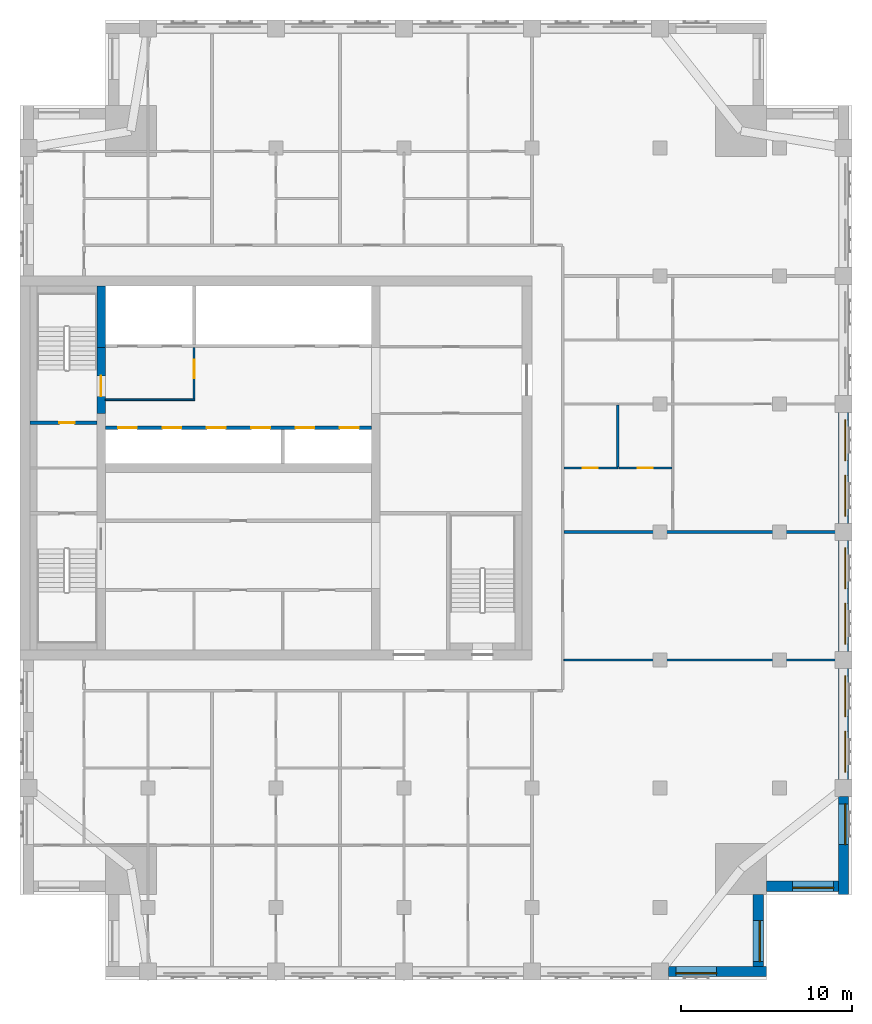
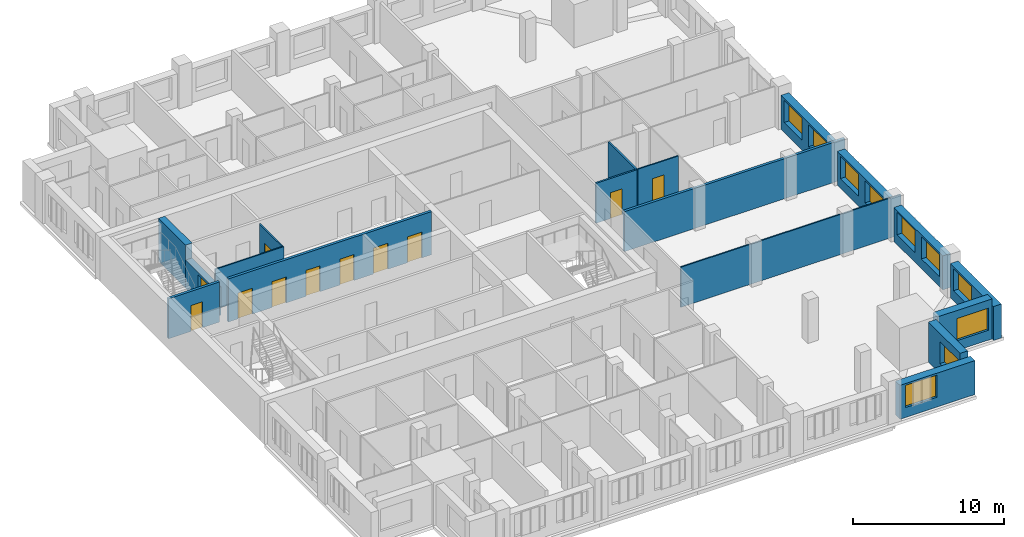
# One storey, part 5 of 10: 18 walls, 11 doors, 10 windows, 21 openings.
"""IFC4 building model written with IfcOpenShell, lengths in metres."""

from ifc_helpers import new_model, si_unit, direction, frame, frame_2d, origin, place, context, subcontext, project, spatial, rectangle, extrude, material, layer, layer_set, type_object, element, fill, save


model = new_model("IFC4")

# Units and contexts
model_context = context("Model", 3, precision=1e-05, world=origin(), true_north=direction((0.0, 1.0)))
body_context = subcontext(model_context, "Body", "Model", "MODEL_VIEW")
ifc_project = project(units=[si_unit("LENGTHUNIT", "METRE"), si_unit("AREAUNIT", "SQUARE_METRE"), si_unit("VOLUMEUNIT", "CUBIC_METRE"), si_unit("PLANEANGLEUNIT", "RADIAN"), si_unit("MASSUNIT", "GRAM", prefix="KILO")], contexts=[model_context])

# Site, building, storey
site_placement = place(None, origin())
site = spatial("IfcSite", under=ifc_project, at=site_placement, CompositionType="ELEMENT")
building_placement = place(site_placement, origin())
building = spatial("IfcBuilding", under=site, at=building_placement, Name="Tamorin Gate", CompositionType="ELEMENT")
storey_placement = place(building_placement, frame((0.0, 0.0, 223.199951171875)))
storey = spatial("IfcBuildingStorey", under=building, at=storey_placement, Name="L55", CompositionType="ELEMENT", Elevation=223.199951171875)

# Wall, opening, window
ifc_material_1 = material(Name="Precast concrete C40/50", Category="concrete")
ifc_layer_1 = layer(ifc_material_1, 0.60009765625)
ifc_layer_set_1 = layer_set([ifc_layer_1], Name="Precast concrete C40/50")
wall_type_1 = type_object("IfcWallType", Name="Board-marked concrete facade panel 600", PredefinedType="SOLIDWALL", material=ifc_layer_set_1)
wall_1_placement = place(storey_placement, frame((68.0, 41.75, 0.0), z_axis=(0.0, 0.0, 1.0), x_axis=(1.0, 0.0, 0.0)))
wall_1 = element("IfcWall", 1, at=wall_1_placement, inside=storey, type_object=wall_type_1, Name="Facade panel", PredefinedType="SOLIDWALL", context=body_context, shape_type="SweptSolid", body=[
    extrude(rectangle(XDim=5.75, YDim=0.60009765625, at=frame_2d((2.875, 0.0))), origin(), (0.0, 0.0, 1.0), 2.75),
])
opening_1_placement = place(wall_1_placement, frame((0.425048828125, 0.0, 0.800048828125)))
opening_1 = element("IfcOpeningElement", 2, at=opening_1_placement, cuts=wall_1, Name="Opening WN1", PredefinedType="OPENING", context=body_context, shape_type="SweptSolid", body=[
    extrude(rectangle(XDim=2.39990234375, YDim=1.800048828125, at=frame_2d((1.199951171875, 0.89990234375))), frame((0.0, 0.31005859375, 0.0), z_axis=(0.0, -1.0, 0.0), x_axis=(1.0, 0.0, 0.0)), (0.0, 0.0, 1.0), 0.6201171875),
])
ifc_material_2 = material(Name="Clear glass in aluminium frame", Category="aluminium")
window_type = type_object("IfcWindowType", Name="Deep-set window 2400x1800", PartitioningType="SINGLE_PANEL", PredefinedType="WINDOW", material=ifc_material_2)
window_1_placement = place(opening_1_placement, origin())
window_1 = element("IfcWindow", 3, at=window_1_placement, inside=storey, type_object=window_type, Name="Deep-set window", OverallHeight=1.800048828125, OverallWidth=2.39990234375, PartitioningType="SINGLE_PANEL", PredefinedType="WINDOW", context=body_context, shape_type="SweptSolid", body=[
    extrude(rectangle(XDim=2.39990234375, YDim=1.800048828125, at=frame_2d((1.199951171875, 0.89990234375))), frame((0.0, -0.070068359375, 0.0), z_axis=(0.0, -1.0, 0.0), x_axis=(1.0, 0.0, 0.0)), (0.0, 0.0, 1.0), 0.06005859375),
])
fill(opening_1, window_1)

wall_2_placement = place(storey_placement, frame((73.25, 42.050048828125, 0.0), z_axis=(0.0, 0.0, 1.0), x_axis=(0.0, 1.0, 0.0)))
wall_2 = element("IfcWall", 4, at=wall_2_placement, inside=storey, type_object=wall_type_1, Name="Facade panel", PredefinedType="SOLIDWALL", context=body_context, shape_type="SweptSolid", body=[
    extrude(rectangle(XDim=4.199951171875, YDim=0.60009765625, at=frame_2d((2.10009765625, 0.0))), origin(), (0.0, 0.0, 1.0), 3.25),
])
opening_2_placement = place(wall_2_placement, frame((0.27490234375, 0.0, 0.800048828125)))
opening_2 = element("IfcOpeningElement", 5, at=opening_2_placement, cuts=wall_2, Name="Opening WN1", PredefinedType="OPENING", context=body_context, shape_type="SweptSolid", body=[
    extrude(rectangle(XDim=2.39990234375, YDim=1.800048828125, at=frame_2d((1.199951171875, 0.89990234375))), frame((0.0, 0.31005859375, 0.0), z_axis=(0.0, -1.0, 0.0), x_axis=(1.0, 0.0, 0.0)), (0.0, 0.0, 1.0), 0.6201171875),
])
window_2_placement = place(opening_2_placement, origin())
window_2 = element("IfcWindow", 6, at=window_2_placement, inside=storey, type_object=window_type, Name="Deep-set window", OverallHeight=1.800048828125, OverallWidth=2.39990234375, PartitioningType="SINGLE_PANEL", PredefinedType="WINDOW", context=body_context, shape_type="SweptSolid", body=[
    extrude(rectangle(XDim=2.39990234375, YDim=1.800048828125, at=frame_2d((1.199951171875, 0.89990234375))), frame((0.0, -0.070068359375, 0.0), z_axis=(0.0, -1.0, 0.0), x_axis=(1.0, 0.0, 0.0)), (0.0, 0.0, 1.0), 0.06005859375),
])
fill(opening_2, window_2)

wall_3_placement = place(storey_placement, frame((73.75, 46.75, 0.0), z_axis=(0.0, 0.0, 1.0), x_axis=(1.0, 0.0, 0.0)))
wall_3 = element("IfcWall", 7, at=wall_3_placement, inside=storey, type_object=wall_type_1, Name="Facade panel", PredefinedType="SOLIDWALL", context=body_context, shape_type="SweptSolid", body=[
    extrude(rectangle(XDim=4.199951171875, YDim=0.60009765625, at=frame_2d((2.10009765625, 0.0))), origin(), (0.0, 0.0, 1.0), 3.25),
])
opening_3_placement = place(wall_3_placement, frame((1.52490234375, 0.0, 0.800048828125)))
opening_3 = element("IfcOpeningElement", 8, at=opening_3_placement, cuts=wall_3, Name="Opening WN1", PredefinedType="OPENING", context=body_context, shape_type="SweptSolid", body=[
    extrude(rectangle(XDim=2.39990234375, YDim=1.800048828125, at=frame_2d((1.199951171875, 0.89990234375))), frame((0.0, 0.31005859375, 0.0), z_axis=(0.0, -1.0, 0.0), x_axis=(1.0, 0.0, 0.0)), (0.0, 0.0, 1.0), 0.6201171875),
])
window_3_placement = place(opening_3_placement, origin())
window_3 = element("IfcWindow", 9, at=window_3_placement, inside=storey, type_object=window_type, Name="Deep-set window", OverallHeight=1.800048828125, OverallWidth=2.39990234375, PartitioningType="SINGLE_PANEL", PredefinedType="WINDOW", context=body_context, shape_type="SweptSolid", body=[
    extrude(rectangle(XDim=2.39990234375, YDim=1.800048828125, at=frame_2d((1.199951171875, 0.89990234375))), frame((0.0, -0.070068359375, 0.0), z_axis=(0.0, -1.0, 0.0), x_axis=(1.0, 0.0, 0.0)), (0.0, 0.0, 1.0), 0.06005859375),
])
fill(opening_3, window_3)

wall_4_placement = place(storey_placement, frame((78.25, 46.25, 0.0), z_axis=(0.0, 0.0, 1.0), x_axis=(0.0, 1.0, 0.0)))
wall_4 = element("IfcWall", 10, at=wall_4_placement, inside=storey, type_object=wall_type_1, Name="Facade panel", PredefinedType="SOLIDWALL", context=body_context, shape_type="SweptSolid", body=[
    extrude(rectangle(XDim=5.75, YDim=0.60009765625, at=frame_2d((2.875, 0.0))), origin(), (0.0, 0.0, 1.0), 2.75),
])
opening_4_placement = place(wall_4_placement, frame((2.925048828125, 0.0, 0.800048828125)))
opening_4 = element("IfcOpeningElement", 11, at=opening_4_placement, cuts=wall_4, Name="Opening WN1", PredefinedType="OPENING", context=body_context, shape_type="SweptSolid", body=[
    extrude(rectangle(XDim=2.39990234375, YDim=1.800048828125, at=frame_2d((1.199951171875, 0.89990234375))), frame((0.0, 0.31005859375, 0.0), z_axis=(0.0, -1.0, 0.0), x_axis=(1.0, 0.0, 0.0)), (0.0, 0.0, 1.0), 0.6201171875),
])
window_4_placement = place(opening_4_placement, origin())
window_4 = element("IfcWindow", 12, at=window_4_placement, inside=storey, type_object=window_type, Name="Deep-set window", OverallHeight=1.800048828125, OverallWidth=2.39990234375, PartitioningType="SINGLE_PANEL", PredefinedType="WINDOW", context=body_context, shape_type="SweptSolid", body=[
    extrude(rectangle(XDim=2.39990234375, YDim=1.800048828125, at=frame_2d((1.199951171875, 0.89990234375))), frame((0.0, -0.070068359375, 0.0), z_axis=(0.0, -1.0, 0.0), x_axis=(1.0, 0.0, 0.0)), (0.0, 0.0, 1.0), 0.06005859375),
])
fill(opening_4, window_4)

# Wall, openings, windows
wall_5_placement = place(storey_placement, frame((78.25, 53.0, 0.0), z_axis=(0.0, 0.0, 1.0), x_axis=(0.0, 1.0, 0.0)))
wall_5 = element("IfcWall", 13, at=wall_5_placement, inside=storey, type_object=wall_type_1, Name="Facade panel", PredefinedType="SOLIDWALL", context=body_context, shape_type="SweptSolid", body=[
    extrude(rectangle(XDim=6.5, YDim=0.60009765625, at=frame_2d((3.25, 0.0))), origin(), (0.0, 0.0, 1.0), 2.75),
])
opening_5_placement = place(wall_5_placement, frame((0.425048828125, 0.0, 0.800048828125)))
opening_5 = element("IfcOpeningElement", 14, at=opening_5_placement, cuts=wall_5, Name="Opening WN1", PredefinedType="OPENING", context=body_context, shape_type="SweptSolid", body=[
    extrude(rectangle(XDim=2.39990234375, YDim=1.800048828125, at=frame_2d((1.199951171875, 0.89990234375))), frame((0.0, 0.31005859375, 0.0), z_axis=(0.0, -1.0, 0.0), x_axis=(1.0, 0.0, 0.0)), (0.0, 0.0, 1.0), 0.6201171875),
])
opening_6_placement = place(wall_5_placement, frame((3.675048828125, 0.0, 0.800048828125)))
opening_6 = element("IfcOpeningElement", 15, at=opening_6_placement, cuts=wall_5, Name="Opening WN1", PredefinedType="OPENING", context=body_context, shape_type="SweptSolid", body=[
    extrude(rectangle(XDim=2.39990234375, YDim=1.800048828125, at=frame_2d((1.199951171875, 0.89990234375))), frame((0.0, 0.31005859375, 0.0), z_axis=(0.0, -1.0, 0.0), x_axis=(1.0, 0.0, 0.0)), (0.0, 0.0, 1.0), 0.6201171875),
])
window_5_placement = place(opening_5_placement, origin())
window_5 = element("IfcWindow", 16, at=window_5_placement, inside=storey, type_object=window_type, Name="Deep-set window", OverallHeight=1.800048828125, OverallWidth=2.39990234375, PartitioningType="SINGLE_PANEL", PredefinedType="WINDOW", context=body_context, shape_type="SweptSolid", body=[
    extrude(rectangle(XDim=2.39990234375, YDim=1.800048828125, at=frame_2d((1.199951171875, 0.89990234375))), frame((0.0, -0.070068359375, 0.0), z_axis=(0.0, -1.0, 0.0), x_axis=(1.0, 0.0, 0.0)), (0.0, 0.0, 1.0), 0.06005859375),
])
fill(opening_5, window_5)
window_6_placement = place(opening_6_placement, origin())
window_6 = element("IfcWindow", 17, at=window_6_placement, inside=storey, type_object=window_type, Name="Deep-set window", OverallHeight=1.800048828125, OverallWidth=2.39990234375, PartitioningType="SINGLE_PANEL", PredefinedType="WINDOW", context=body_context, shape_type="SweptSolid", body=[
    extrude(rectangle(XDim=2.39990234375, YDim=1.800048828125, at=frame_2d((1.199951171875, 0.89990234375))), frame((0.0, -0.070068359375, 0.0), z_axis=(0.0, -1.0, 0.0), x_axis=(1.0, 0.0, 0.0)), (0.0, 0.0, 1.0), 0.06005859375),
])
fill(opening_6, window_6)

wall_6_placement = place(storey_placement, frame((78.25, 60.5, 0.0), z_axis=(0.0, 0.0, 1.0), x_axis=(0.0, 1.0, 0.0)))
wall_6 = element("IfcWall", 18, at=wall_6_placement, inside=storey, type_object=wall_type_1, Name="Facade panel", PredefinedType="SOLIDWALL", context=body_context, shape_type="SweptSolid", body=[
    extrude(rectangle(XDim=6.5, YDim=0.60009765625, at=frame_2d((3.25, 0.0))), origin(), (0.0, 0.0, 1.0), 2.75),
])
opening_7_placement = place(wall_6_placement, frame((0.425048828125, 0.0, 0.800048828125)))
opening_7 = element("IfcOpeningElement", 19, at=opening_7_placement, cuts=wall_6, Name="Opening WN1", PredefinedType="OPENING", context=body_context, shape_type="SweptSolid", body=[
    extrude(rectangle(XDim=2.39990234375, YDim=1.800048828125, at=frame_2d((1.199951171875, 0.89990234375))), frame((0.0, 0.31005859375, 0.0), z_axis=(0.0, -1.0, 0.0), x_axis=(1.0, 0.0, 0.0)), (0.0, 0.0, 1.0), 0.6201171875),
])
opening_8_placement = place(wall_6_placement, frame((3.675048828125, 0.0, 0.800048828125)))
opening_8 = element("IfcOpeningElement", 20, at=opening_8_placement, cuts=wall_6, Name="Opening WN1", PredefinedType="OPENING", context=body_context, shape_type="SweptSolid", body=[
    extrude(rectangle(XDim=2.39990234375, YDim=1.800048828125, at=frame_2d((1.199951171875, 0.89990234375))), frame((0.0, 0.31005859375, 0.0), z_axis=(0.0, -1.0, 0.0), x_axis=(1.0, 0.0, 0.0)), (0.0, 0.0, 1.0), 0.6201171875),
])
window_7_placement = place(opening_7_placement, origin())
window_7 = element("IfcWindow", 21, at=window_7_placement, inside=storey, type_object=window_type, Name="Deep-set window", OverallHeight=1.800048828125, OverallWidth=2.39990234375, PartitioningType="SINGLE_PANEL", PredefinedType="WINDOW", context=body_context, shape_type="SweptSolid", body=[
    extrude(rectangle(XDim=2.39990234375, YDim=1.800048828125, at=frame_2d((1.199951171875, 0.89990234375))), frame((0.0, -0.070068359375, 0.0), z_axis=(0.0, -1.0, 0.0), x_axis=(1.0, 0.0, 0.0)), (0.0, 0.0, 1.0), 0.06005859375),
])
fill(opening_7, window_7)
window_8_placement = place(opening_8_placement, origin())
window_8 = element("IfcWindow", 22, at=window_8_placement, inside=storey, type_object=window_type, Name="Deep-set window", OverallHeight=1.800048828125, OverallWidth=2.39990234375, PartitioningType="SINGLE_PANEL", PredefinedType="WINDOW", context=body_context, shape_type="SweptSolid", body=[
    extrude(rectangle(XDim=2.39990234375, YDim=1.800048828125, at=frame_2d((1.199951171875, 0.89990234375))), frame((0.0, -0.070068359375, 0.0), z_axis=(0.0, -1.0, 0.0), x_axis=(1.0, 0.0, 0.0)), (0.0, 0.0, 1.0), 0.06005859375),
])
fill(opening_8, window_8)

wall_7_placement = place(storey_placement, frame((78.25, 68.0, 0.0), z_axis=(0.0, 0.0, 1.0), x_axis=(0.0, 1.0, 0.0)))
wall_7 = element("IfcWall", 23, at=wall_7_placement, inside=storey, type_object=wall_type_1, Name="Facade panel", PredefinedType="SOLIDWALL", context=body_context, shape_type="SweptSolid", body=[
    extrude(rectangle(XDim=6.5, YDim=0.60009765625, at=frame_2d((3.25, 0.0))), origin(), (0.0, 0.0, 1.0), 2.75),
])
opening_9_placement = place(wall_7_placement, frame((0.425048828125, 0.0, 0.800048828125)))
opening_9 = element("IfcOpeningElement", 24, at=opening_9_placement, cuts=wall_7, Name="Opening WN1", PredefinedType="OPENING", context=body_context, shape_type="SweptSolid", body=[
    extrude(rectangle(XDim=2.39990234375, YDim=1.800048828125, at=frame_2d((1.199951171875, 0.89990234375))), frame((0.0, 0.31005859375, 0.0), z_axis=(0.0, -1.0, 0.0), x_axis=(1.0, 0.0, 0.0)), (0.0, 0.0, 1.0), 0.6201171875),
])
opening_10_placement = place(wall_7_placement, frame((3.675048828125, 0.0, 0.800048828125)))
opening_10 = element("IfcOpeningElement", 25, at=opening_10_placement, cuts=wall_7, Name="Opening WN1", PredefinedType="OPENING", context=body_context, shape_type="SweptSolid", body=[
    extrude(rectangle(XDim=2.39990234375, YDim=1.800048828125, at=frame_2d((1.199951171875, 0.89990234375))), frame((0.0, 0.31005859375, 0.0), z_axis=(0.0, -1.0, 0.0), x_axis=(1.0, 0.0, 0.0)), (0.0, 0.0, 1.0), 0.6201171875),
])
window_9_placement = place(opening_9_placement, origin())
window_9 = element("IfcWindow", 26, at=window_9_placement, inside=storey, type_object=window_type, Name="Deep-set window", OverallHeight=1.800048828125, OverallWidth=2.39990234375, PartitioningType="SINGLE_PANEL", PredefinedType="WINDOW", context=body_context, shape_type="SweptSolid", body=[
    extrude(rectangle(XDim=2.39990234375, YDim=1.800048828125, at=frame_2d((1.199951171875, 0.89990234375))), frame((0.0, -0.070068359375, 0.0), z_axis=(0.0, -1.0, 0.0), x_axis=(1.0, 0.0, 0.0)), (0.0, 0.0, 1.0), 0.06005859375),
])
fill(opening_9, window_9)
window_10_placement = place(opening_10_placement, origin())
window_10 = element("IfcWindow", 27, at=window_10_placement, inside=storey, type_object=window_type, Name="Deep-set window", OverallHeight=1.800048828125, OverallWidth=2.39990234375, PartitioningType="SINGLE_PANEL", PredefinedType="WINDOW", context=body_context, shape_type="SweptSolid", body=[
    extrude(rectangle(XDim=2.39990234375, YDim=1.800048828125, at=frame_2d((1.199951171875, 0.89990234375))), frame((0.0, -0.070068359375, 0.0), z_axis=(0.0, -1.0, 0.0), x_axis=(1.0, 0.0, 0.0)), (0.0, 0.0, 1.0), 0.06005859375),
])
fill(opening_10, window_10)

# Wall
ifc_material_3 = material(Name="Gypsum board partition")
ifc_layer_2 = layer(ifc_material_3, 0.199951171875)
ifc_layer_set_2 = layer_set([ifc_layer_2], Name="Demising wall 200")
wall_type_2 = type_object("IfcWallType", Name="Demising wall 200", PredefinedType="PARTITIONING", material=ifc_layer_set_2)
wall_8_placement = place(storey_placement, frame((61.875, 67.5, 0.0), z_axis=(0.0, 0.0, 1.0), x_axis=(1.0, 0.0, 0.0)))
element("IfcWall", 28, at=wall_8_placement, inside=storey, type_object=wall_type_2, Name="Demising wall 200", PredefinedType="PARTITIONING", context=body_context, shape_type="SweptSolid", body=[
    extrude(rectangle(XDim=16.875, YDim=0.199951171875, at=frame_2d((8.4375, 0.0))), origin(), (0.0, 0.0, 1.0), 3.25),
])

# Wall, openings, doors
ifc_material_4 = material(Name="Concrete C32/40", Category="concrete")
ifc_layer_3 = layer(ifc_material_4, 0.199951171875)
ifc_layer_set_3 = layer_set([ifc_layer_3], Name="Lift lobby face wall 200 EI 120")
wall_type_3 = type_object("IfcWallType", Name="Lift lobby face wall 200 EI 120", PredefinedType="SOLIDWALL", material=ifc_layer_set_3)
wall_9_placement = place(storey_placement, frame((35.0, 73.60009765625, 0.0), z_axis=(0.0, 0.0, 1.0), x_axis=(1.0, 0.0, 0.0)))
wall_9 = element("IfcWall", 29, at=wall_9_placement, inside=storey, type_object=wall_type_3, Name="Lift lobby face wall", PredefinedType="SOLIDWALL", context=body_context, shape_type="SweptSolid", body=[
    extrude(rectangle(XDim=15.60009765625, YDim=0.199951171875, at=frame_2d((7.800048828125, 0.0))), origin(), (0.0, 0.0, 1.0), 3.5),
])
opening_11_placement = place(wall_9_placement, frame((0.75, 0.0, 0.0)))
opening_11 = element("IfcOpeningElement", 30, at=opening_11_placement, cuts=wall_9, Name="Opening LD11", PredefinedType="OPENING", context=body_context, shape_type="SweptSolid", body=[
    extrude(rectangle(XDim=1.10009765625, YDim=2.10009765625, at=frame_2d((0.550048828125, 1.050048828125))), frame((0.0, 0.10986328125, 0.0), z_axis=(0.0, -1.0, 0.0), x_axis=(1.0, 0.0, 0.0)), (0.0, 0.0, 1.0), 0.219970703125),
])
opening_12_placement = place(wall_9_placement, frame((3.35009765625, 0.0, 0.0)))
opening_12 = element("IfcOpeningElement", 31, at=opening_12_placement, cuts=wall_9, Name="Opening LD12", PredefinedType="OPENING", context=body_context, shape_type="SweptSolid", body=[
    extrude(rectangle(XDim=1.10009765625, YDim=2.10009765625, at=frame_2d((0.550048828125, 1.050048828125))), frame((0.0, 0.10986328125, 0.0), z_axis=(0.0, -1.0, 0.0), x_axis=(1.0, 0.0, 0.0)), (0.0, 0.0, 1.0), 0.219970703125),
])
opening_13_placement = place(wall_9_placement, frame((5.949951171875, 0.0, 0.0)))
opening_13 = element("IfcOpeningElement", 32, at=opening_13_placement, cuts=wall_9, Name="Opening LD13", PredefinedType="OPENING", context=body_context, shape_type="SweptSolid", body=[
    extrude(rectangle(XDim=1.10009765625, YDim=2.10009765625, at=frame_2d((0.550048828125, 1.050048828125))), frame((0.0, 0.10986328125, 0.0), z_axis=(0.0, -1.0, 0.0), x_axis=(1.0, 0.0, 0.0)), (0.0, 0.0, 1.0), 0.219970703125),
])
opening_14_placement = place(wall_9_placement, frame((8.550048828125, 0.0, 0.0)))
opening_14 = element("IfcOpeningElement", 33, at=opening_14_placement, cuts=wall_9, Name="Opening LD14", PredefinedType="OPENING", context=body_context, shape_type="SweptSolid", body=[
    extrude(rectangle(XDim=1.10009765625, YDim=2.10009765625, at=frame_2d((0.550048828125, 1.050048828125))), frame((0.0, 0.10986328125, 0.0), z_axis=(0.0, -1.0, 0.0), x_axis=(1.0, 0.0, 0.0)), (0.0, 0.0, 1.0), 0.219970703125),
])
opening_15_placement = place(wall_9_placement, frame((11.14990234375, 0.0, 0.0)))
opening_15 = element("IfcOpeningElement", 34, at=opening_15_placement, cuts=wall_9, Name="Opening LD15", PredefinedType="OPENING", context=body_context, shape_type="SweptSolid", body=[
    extrude(rectangle(XDim=1.10009765625, YDim=2.10009765625, at=frame_2d((0.550048828125, 1.050048828125))), frame((0.0, 0.10986328125, 0.0), z_axis=(0.0, -1.0, 0.0), x_axis=(1.0, 0.0, 0.0)), (0.0, 0.0, 1.0), 0.219970703125),
])
opening_16_placement = place(wall_9_placement, frame((13.75, 0.0, 0.0)))
opening_16 = element("IfcOpeningElement", 35, at=opening_16_placement, cuts=wall_9, Name="Opening LD16", PredefinedType="OPENING", context=body_context, shape_type="SweptSolid", body=[
    extrude(rectangle(XDim=1.10009765625, YDim=2.10009765625, at=frame_2d((0.550048828125, 1.050048828125))), frame((0.0, 0.10986328125, 0.0), z_axis=(0.0, -1.0, 0.0), x_axis=(1.0, 0.0, 0.0)), (0.0, 0.0, 1.0), 0.219970703125),
])
ifc_material_5 = material(Name="Stainless steel sliding door", Category="steel")
door_type_1 = type_object("IfcDoorType", Name="Lift landing door 1100 x 2100 E 90", OperationType="DOUBLE_DOOR_SLIDING", PredefinedType="DOOR", material=ifc_material_5)
door_1_placement = place(opening_11_placement, origin())
door_1 = element("IfcDoor", 36, at=door_1_placement, inside=storey, type_object=door_type_1, Name="HR1 landing door", OperationType="DOUBLE_DOOR_SLIDING", OverallHeight=2.10009765625, OverallWidth=1.10009765625, PredefinedType="DOOR", context=body_context, shape_type="SweptSolid", body=[
    extrude(rectangle(XDim=1.10009765625, YDim=2.10009765625, at=frame_2d((0.550048828125, 1.050048828125))), frame((0.0, 0.02490234375, 0.0), z_axis=(0.0, -1.0, 0.0), x_axis=(1.0, 0.0, 0.0)), (0.0, 0.0, 1.0), 0.050048828125),
])
fill(opening_11, door_1)
door_2_placement = place(opening_12_placement, origin())
door_2 = element("IfcDoor", 37, at=door_2_placement, inside=storey, type_object=door_type_1, Name="HR2 landing door", OperationType="DOUBLE_DOOR_SLIDING", OverallHeight=2.10009765625, OverallWidth=1.10009765625, PredefinedType="DOOR", context=body_context, shape_type="SweptSolid", body=[
    extrude(rectangle(XDim=1.10009765625, YDim=2.10009765625, at=frame_2d((0.550048828125, 1.050048828125))), frame((0.0, 0.02490234375, 0.0), z_axis=(0.0, -1.0, 0.0), x_axis=(1.0, 0.0, 0.0)), (0.0, 0.0, 1.0), 0.050048828125),
])
fill(opening_12, door_2)
door_3_placement = place(opening_13_placement, origin())
door_3 = element("IfcDoor", 38, at=door_3_placement, inside=storey, type_object=door_type_1, Name="HR3 landing door", OperationType="DOUBLE_DOOR_SLIDING", OverallHeight=2.10009765625, OverallWidth=1.10009765625, PredefinedType="DOOR", context=body_context, shape_type="SweptSolid", body=[
    extrude(rectangle(XDim=1.10009765625, YDim=2.10009765625, at=frame_2d((0.550048828125, 1.050048828125))), frame((0.0, 0.02490234375, 0.0), z_axis=(0.0, -1.0, 0.0), x_axis=(1.0, 0.0, 0.0)), (0.0, 0.0, 1.0), 0.050048828125),
])
fill(opening_13, door_3)
door_4_placement = place(opening_14_placement, origin())
door_4 = element("IfcDoor", 39, at=door_4_placement, inside=storey, type_object=door_type_1, Name="HR4 landing door", OperationType="DOUBLE_DOOR_SLIDING", OverallHeight=2.10009765625, OverallWidth=1.10009765625, PredefinedType="DOOR", context=body_context, shape_type="SweptSolid", body=[
    extrude(rectangle(XDim=1.10009765625, YDim=2.10009765625, at=frame_2d((0.550048828125, 1.050048828125))), frame((0.0, 0.02490234375, 0.0), z_axis=(0.0, -1.0, 0.0), x_axis=(1.0, 0.0, 0.0)), (0.0, 0.0, 1.0), 0.050048828125),
])
fill(opening_14, door_4)
door_5_placement = place(opening_15_placement, origin())
door_5 = element("IfcDoor", 40, at=door_5_placement, inside=storey, type_object=door_type_1, Name="HR5 landing door", OperationType="DOUBLE_DOOR_SLIDING", OverallHeight=2.10009765625, OverallWidth=1.10009765625, PredefinedType="DOOR", context=body_context, shape_type="SweptSolid", body=[
    extrude(rectangle(XDim=1.10009765625, YDim=2.10009765625, at=frame_2d((0.550048828125, 1.050048828125))), frame((0.0, 0.02490234375, 0.0), z_axis=(0.0, -1.0, 0.0), x_axis=(1.0, 0.0, 0.0)), (0.0, 0.0, 1.0), 0.050048828125),
])
fill(opening_15, door_5)
door_6_placement = place(opening_16_placement, origin())
door_6 = element("IfcDoor", 41, at=door_6_placement, inside=storey, type_object=door_type_1, Name="HR6 landing door", OperationType="DOUBLE_DOOR_SLIDING", OverallHeight=2.10009765625, OverallWidth=1.10009765625, PredefinedType="DOOR", context=body_context, shape_type="SweptSolid", body=[
    extrude(rectangle(XDim=1.10009765625, YDim=2.10009765625, at=frame_2d((0.550048828125, 1.050048828125))), frame((0.0, 0.02490234375, 0.0), z_axis=(0.0, -1.0, 0.0), x_axis=(1.0, 0.0, 0.0)), (0.0, 0.0, 1.0), 0.050048828125),
])
fill(opening_16, door_6)

# Wall
ifc_material_6 = material(Name="Fire-rated gypsum board partition")
ifc_layer_4 = layer(ifc_material_6, 0.10009765625)
ifc_layer_set_4 = layer_set([ifc_layer_4], Name="Lobby wall 100 EI 60")
wall_type_4 = type_object("IfcWallType", Name="Lobby wall 100 EI 60", PredefinedType="PARTITIONING", material=ifc_layer_set_4)
wall_10_placement = place(storey_placement, frame((35.0, 75.25, 0.0), z_axis=(0.0, 0.0, 1.0), x_axis=(1.0, 0.0, 0.0)))
element("IfcWall", 42, at=wall_10_placement, inside=storey, type_object=wall_type_4, Name="Firefighting lobby wall", PredefinedType="PARTITIONING", context=body_context, shape_type="SweptSolid", body=[
    extrude(rectangle(XDim=5.25, YDim=0.10009765625, at=frame_2d((2.625, 0.0))), origin(), (0.0, 0.0, 1.0), 3.25),
])

# Wall, opening, door
wall_11_placement = place(storey_placement, frame((40.199951171875, 75.300048828125, 0.0), z_axis=(0.0, 0.0, 1.0), x_axis=(0.0, 1.0, 0.0)))
wall_11 = element("IfcWall", 43, at=wall_11_placement, inside=storey, type_object=wall_type_4, Name="Firefighting lobby wall", PredefinedType="PARTITIONING", context=body_context, shape_type="SweptSolid", body=[
    extrude(rectangle(XDim=3.0, YDim=0.10009765625, at=frame_2d((1.5, 0.0))), origin(), (0.0, 0.0, 1.0), 3.25),
])
opening_17_placement = place(wall_11_placement, frame((1.199951171875, 0.0, 0.0)))
opening_17 = element("IfcOpeningElement", 44, at=opening_17_placement, cuts=wall_11, Name="Opening DF1", PredefinedType="OPENING", context=body_context, shape_type="SweptSolid", body=[
    extrude(rectangle(XDim=1.10009765625, YDim=2.10009765625, at=frame_2d((0.550048828125, 1.050048828125))), frame((0.0, 0.06005859375, 0.0), z_axis=(0.0, -1.0, 0.0), x_axis=(1.0, 0.0, 0.0)), (0.0, 0.0, 1.0), 0.1201171875),
])
ifc_material_7 = material(Name="Steel fire door", Category="steel")
door_type_2 = type_object("IfcDoorType", Name="Firefighting lobby door 1100 x 2100 EI 90", OperationType="SINGLE_SWING_LEFT", PredefinedType="DOOR", material=ifc_material_7)
door_7_placement = place(opening_17_placement, origin())
door_7 = element("IfcDoor", 45, at=door_7_placement, inside=storey, type_object=door_type_2, Name="Firefighting lobby door", OperationType="SINGLE_SWING_LEFT", OverallHeight=2.10009765625, OverallWidth=1.10009765625, PredefinedType="DOOR", context=body_context, shape_type="SweptSolid", body=[
    extrude(rectangle(XDim=1.10009765625, YDim=2.10009765625, at=frame_2d((0.550048828125, 1.050048828125))), frame((0.0, 0.02490234375, 0.0), z_axis=(0.0, -1.0, 0.0), x_axis=(1.0, 0.0, 0.0)), (0.0, 0.0, 1.0), 0.050048828125),
])
fill(opening_17, door_7)

# Walls
ifc_material_8 = material(Name="Concrete C50/60", Category="concrete")
ifc_layer_5 = layer(ifc_material_8, 0.5)
ifc_layer_set_5 = layer_set([ifc_layer_5], Name="RC core internal wall 500 C50/60")
wall_type_5 = type_object("IfcWallType", Name="RC core internal wall 500 C50/60", PredefinedType="SHEAR", material=ifc_layer_set_5)
wall_12_placement = place(storey_placement, frame((34.75, 78.300048828125, 0.0), z_axis=(0.0, 0.0, 1.0), x_axis=(0.0, 1.0, 0.0)))
element("IfcWall", 46, at=wall_12_placement, inside=storey, type_object=wall_type_5, Name="Core cross wall L55", PredefinedType="SHEAR", context=body_context, shape_type="SweptSolid", body=[
    extrude(rectangle(XDim=3.599853515625, YDim=0.5, at=frame_2d((1.7998046875, 0.0))), origin(), (0.0, 0.0, 1.0), 3.5),
])
ifc_layer_6 = layer(ifc_material_3, 0.10009765625)
ifc_layer_set_6 = layer_set([ifc_layer_6], Name="Room partition 100")
wall_type_6 = type_object("IfcWallType", Name="Room partition 100", PredefinedType="PARTITIONING", material=ifc_layer_set_6)
wall_13_placement = place(storey_placement, frame((61.875, 60.0, 0.0), z_axis=(0.0, 0.0, 1.0), x_axis=(1.0, 0.0, 0.0)))
element("IfcWall", 47, at=wall_13_placement, inside=storey, type_object=wall_type_6, Name="Room partition 100", PredefinedType="PARTITIONING", context=body_context, shape_type="SweptSolid", body=[
    extrude(rectangle(XDim=16.875, YDim=0.10009765625, at=frame_2d((8.4375, 0.0))), origin(), (0.0, 0.0, 1.0), 3.25),
])

# Wall, opening, door
wall_14_placement = place(storey_placement, frame((65.08740234375, 71.25, 0.0), z_axis=(0.0, 0.0, 1.0), x_axis=(1.0, 0.0, 0.0)))
wall_14 = element("IfcWall", 48, at=wall_14_placement, inside=storey, type_object=wall_type_6, Name="Room partition 100", PredefinedType="PARTITIONING", context=body_context, shape_type="SweptSolid", body=[
    extrude(rectangle(XDim=3.112548828125, YDim=0.10009765625, at=frame_2d((1.55615234375, 0.0))), origin(), (0.0, 0.0, 1.0), 3.25),
])
opening_18_placement = place(wall_14_placement, frame((1.10009765625, 0.0, 0.0)))
opening_18 = element("IfcOpeningElement", 49, at=opening_18_placement, cuts=wall_14, Name="Opening DR5044", PredefinedType="OPENING", context=body_context, shape_type="SweptSolid", body=[
    extrude(rectangle(XDim=0.89990234375, YDim=2.10009765625, at=frame_2d((0.449951171875, 1.050048828125))), frame((0.0, 0.06005859375, 0.0), z_axis=(0.0, -1.0, 0.0), x_axis=(1.0, 0.0, 0.0)), (0.0, 0.0, 1.0), 0.1201171875),
])
ifc_material_9 = material(Name="Timber door leaf", Category="wood")
door_type_3 = type_object("IfcDoorType", Name="Door 900 x 2100", OperationType="NOTDEFINED", PredefinedType="DOOR", material=ifc_material_9)
door_8_placement = place(opening_18_placement, origin())
door_8 = element("IfcDoor", 50, at=door_8_placement, inside=storey, type_object=door_type_3, Name="Door DR5044", OperationType="SINGLE_SWING_RIGHT", OverallHeight=2.10009765625, OverallWidth=0.89990234375, PredefinedType="DOOR", context=body_context, shape_type="SweptSolid", body=[
    extrude(rectangle(XDim=0.89990234375, YDim=2.10009765625, at=frame_2d((0.449951171875, 1.050048828125))), frame((0.0, 0.02490234375, 0.0), z_axis=(0.0, -1.0, 0.0), x_axis=(1.0, 0.0, 0.0)), (0.0, 0.0, 1.0), 0.050048828125),
])
fill(opening_18, door_8)

ifc_material_10 = material(Name="Concrete C40/50", Category="concrete")
ifc_layer_7 = layer(ifc_material_10, 0.199951171875)
ifc_layer_set_7 = layer_set([ifc_layer_7], Name="Stair enclosure wall 200 EI 120 C40/50")
wall_type_7 = type_object("IfcWallType", Name="Stair enclosure wall 200 EI 120 C40/50", PredefinedType="SOLIDWALL", material=ifc_layer_set_7)
wall_15_placement = place(storey_placement, frame((30.60009765625, 73.89990234375, 0.0), z_axis=(0.0, 0.0, 1.0), x_axis=(1.0, 0.0, 0.0)))
wall_15 = element("IfcWall", 51, at=wall_15_placement, inside=storey, type_object=wall_type_7, Name="Stair enclosure wall", PredefinedType="SOLIDWALL", context=body_context, shape_type="SweptSolid", body=[
    extrude(rectangle(XDim=3.89990234375, YDim=0.199951171875, at=frame_2d((1.949951171875, 0.0))), origin(), (0.0, 0.0, 1.0), 3.25),
])
opening_19_placement = place(wall_15_placement, frame((1.699951171875, 0.0, 0.0)))
opening_19 = element("IfcOpeningElement", 52, at=opening_19_placement, cuts=wall_15, Name="Opening DR1", PredefinedType="OPENING", context=body_context, shape_type="SweptSolid", body=[
    extrude(rectangle(XDim=0.89990234375, YDim=2.10009765625, at=frame_2d((0.449951171875, 1.050048828125))), frame((0.0, 0.10986328125, 0.0), z_axis=(0.0, -1.0, 0.0), x_axis=(1.0, 0.0, 0.0)), (0.0, 0.0, 1.0), 0.219970703125),
])
door_type_4 = type_object("IfcDoorType", Name="Riser access door 900 x 2100 EI 120", OperationType="SINGLE_SWING_LEFT", PredefinedType="DOOR", material=ifc_material_7)
door_9_placement = place(opening_19_placement, origin())
door_9 = element("IfcDoor", 53, at=door_9_placement, inside=storey, type_object=door_type_4, Name="Communications riser door", OperationType="SINGLE_SWING_RIGHT", OverallHeight=2.10009765625, OverallWidth=0.89990234375, PredefinedType="DOOR", context=body_context, shape_type="SweptSolid", body=[
    extrude(rectangle(XDim=0.89990234375, YDim=2.10009765625, at=frame_2d((0.449951171875, 1.050048828125))), frame((0.0, 0.02490234375, 0.0), z_axis=(0.0, -1.0, 0.0), x_axis=(1.0, 0.0, 0.0)), (0.0, 0.0, 1.0), 0.050048828125),
])
fill(opening_19, door_9)

ifc_layer_8 = layer(ifc_material_4, 0.5)
ifc_layer_set_8 = layer_set([ifc_layer_8], Name="Stair lobby infill wall 500 EI 120")
wall_type_8 = type_object("IfcWallType", Name="Stair lobby infill wall 500 EI 120", PredefinedType="SOLIDWALL", material=ifc_layer_set_8)
wall_16_placement = place(storey_placement, frame((34.75, 74.449951171875, 0.0), z_axis=(0.0, 0.0, 1.0), x_axis=(0.0, 1.0, 0.0)))
wall_16 = element("IfcWall", 54, at=wall_16_placement, inside=storey, type_object=wall_type_8, Name="Stair lobby infill wall", PredefinedType="SOLIDWALL", context=body_context, shape_type="SweptSolid", body=[
    extrude(rectangle(XDim=3.85009765625, YDim=0.5, at=frame_2d((1.925048828125, 0.0))), origin(), (0.0, 0.0, 1.0), 2.300048828125),
])
opening_20_placement = place(wall_16_placement, frame((1.0, 0.0, 0.0)))
opening_20 = element("IfcOpeningElement", 55, at=opening_20_placement, cuts=wall_16, Name="Opening DS1", PredefinedType="OPENING", context=body_context, shape_type="SweptSolid", body=[
    extrude(rectangle(XDim=1.199951171875, YDim=2.10009765625, at=frame_2d((0.60009765625, 1.050048828125))), frame((0.0, 0.260009765625, 0.0), z_axis=(0.0, -1.0, 0.0), x_axis=(1.0, 0.0, 0.0)), (0.0, 0.0, 1.0), 0.52001953125),
])
door_type_5 = type_object("IfcDoorType", Name="Stair door 1200 x 2100 EI 90", OperationType="SINGLE_SWING_LEFT", PredefinedType="DOOR", material=ifc_material_7)
door_10_placement = place(opening_20_placement, origin())
door_10 = element("IfcDoor", 56, at=door_10_placement, inside=storey, type_object=door_type_5, Name="ST2 door", OperationType="SINGLE_SWING_RIGHT", OverallHeight=2.10009765625, OverallWidth=1.199951171875, PredefinedType="DOOR", context=body_context, shape_type="SweptSolid", body=[
    extrude(rectangle(XDim=1.199951171875, YDim=2.10009765625, at=frame_2d((0.60009765625, 1.050048828125))), frame((0.0, 0.02490234375, 0.0), z_axis=(0.0, -1.0, 0.0), x_axis=(1.0, 0.0, 0.0)), (0.0, 0.0, 1.0), 0.050048828125),
])
fill(opening_20, door_10)

ifc_layer_9 = layer(ifc_material_3, 0.125)
ifc_layer_set_9 = layer_set([ifc_layer_9], Name="Wet wall 125")
wall_type_9 = type_object("IfcWallType", Name="Wet wall 125", PredefinedType="PARTITIONING", material=ifc_layer_set_9)
wall_17_placement = place(storey_placement, frame((61.875, 71.25, 0.0), z_axis=(0.0, 0.0, 1.0), x_axis=(1.0, 0.0, 0.0)))
wall_17 = element("IfcWall", 57, at=wall_17_placement, inside=storey, type_object=wall_type_9, Name="Wet wall 125", PredefinedType="PARTITIONING", context=body_context, shape_type="SweptSolid", body=[
    extrude(rectangle(XDim=3.14990234375, YDim=0.125, at=frame_2d((1.574951171875, 0.0))), origin(), (0.0, 0.0, 1.0), 3.25),
])
opening_21_placement = place(wall_17_placement, frame((1.08740234375, 0.0, 0.0)))
opening_21 = element("IfcOpeningElement", 58, at=opening_21_placement, cuts=wall_17, Name="Opening DR5045", PredefinedType="OPENING", context=body_context, shape_type="SweptSolid", body=[
    extrude(rectangle(XDim=0.89990234375, YDim=2.10009765625, at=frame_2d((0.449951171875, 1.050048828125))), frame((0.0, 0.072509765625, 0.0), z_axis=(0.0, -1.0, 0.0), x_axis=(1.0, 0.0, 0.0)), (0.0, 0.0, 1.0), 0.14501953125),
])
door_11_placement = place(opening_21_placement, origin())
door_11 = element("IfcDoor", 59, at=door_11_placement, inside=storey, type_object=door_type_3, Name="Door DR5045", OperationType="SINGLE_SWING_RIGHT", OverallHeight=2.10009765625, OverallWidth=0.89990234375, PredefinedType="DOOR", context=body_context, shape_type="SweptSolid", body=[
    extrude(rectangle(XDim=0.89990234375, YDim=2.10009765625, at=frame_2d((0.449951171875, 1.050048828125))), frame((0.0, 0.02490234375, 0.0), z_axis=(0.0, -1.0, 0.0), x_axis=(1.0, 0.0, 0.0)), (0.0, 0.0, 1.0), 0.050048828125),
])
fill(opening_21, door_11)

# Wall
wall_18_placement = place(storey_placement, frame((65.02490234375, 71.3125, 0.0), z_axis=(0.0, 0.0, 1.0), x_axis=(0.0, 1.0, 0.0)))
element("IfcWall", 60, at=wall_18_placement, inside=storey, type_object=wall_type_9, Name="Wet wall 125", PredefinedType="PARTITIONING", context=body_context, shape_type="SweptSolid", body=[
    extrude(rectangle(XDim=3.625, YDim=0.125, at=frame_2d((1.8125, 0.0))), origin(), (0.0, 0.0, 1.0), 3.25),
])

save(model, "model.ifc")
